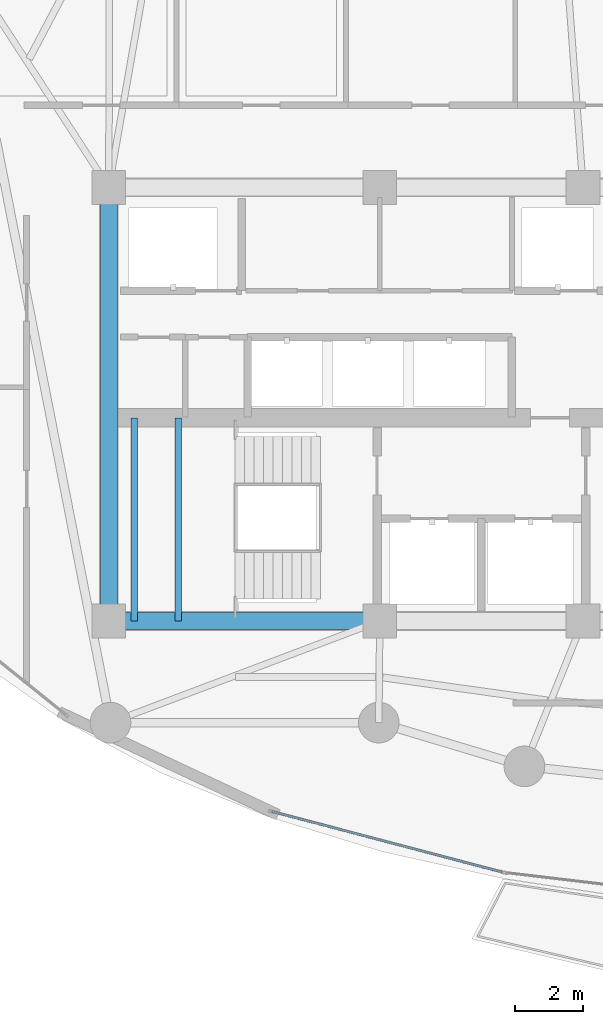
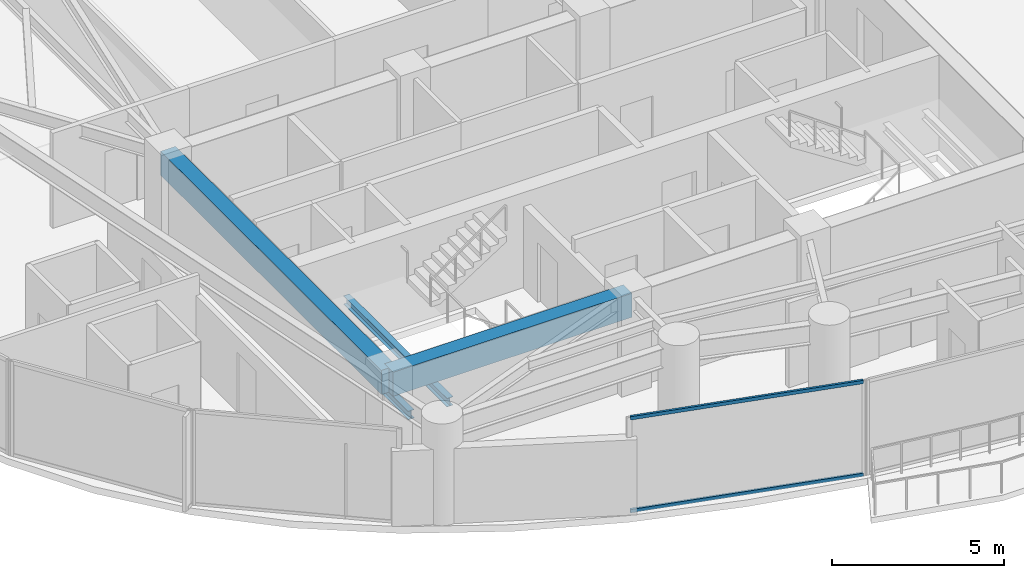
# One storey, part 4 of 33: 4 beams, 2 members, 1 element without a shape of its own.
"""IFC4 building model written with IfcOpenShell, lengths in metres."""

from ifc_helpers import new_model, si_unit, direction, frame, origin, origin_2d, place, context, subcontext, project, spatial, rectangle, hollow_rectangle, i_section, extrude, material, layer, layer_set, material_profile, profile_set, type_object, element, aggregate, save


model = new_model("IFC4")

# Units and contexts
model_context = context("Model", 3, precision=1e-05, world=origin(), true_north=direction((0.0, 1.0)))
body_context = subcontext(model_context, "Body", "Model", "MODEL_VIEW")
ifc_project = project(units=[si_unit("LENGTHUNIT", "METRE"), si_unit("AREAUNIT", "SQUARE_METRE"), si_unit("VOLUMEUNIT", "CUBIC_METRE"), si_unit("PLANEANGLEUNIT", "RADIAN"), si_unit("MASSUNIT", "GRAM", prefix="KILO")], contexts=[model_context])

# Site, building, storey
site_placement = place(None, origin())
site = spatial("IfcSite", under=ifc_project, at=site_placement, CompositionType="ELEMENT")
building_placement = place(site_placement, origin())
building = spatial("IfcBuilding", under=site, at=building_placement, Name="Kazevale Care Tower and Concert Hall", CompositionType="ELEMENT")
storey_placement = place(building_placement, frame((0.0, 0.0, 149.39990234375)))
storey = spatial("IfcBuildingStorey", under=building, at=storey_placement, Name="L39", CompositionType="ELEMENT", Elevation=149.39990234375)

# Curtain wall, members
ifc_material_1 = material(Name="Aluminium 6063-T6 and Low-E Glass", Category="aluminium")
ifc_layer = layer(ifc_material_1, 0.179931640625)
ifc_layer_set = layer_set([ifc_layer], Name="Aluminium 6063-T6 and Low-E Glass")
curtain_wall_type = type_object("IfcCurtainWallType", Name="Sheltered Concave Balcony Curtain Wall CW-5", PredefinedType="NOTDEFINED", material=ifc_layer_set)
curtain_wall_placement = place(storey_placement, origin())
curtain_wall = element("IfcCurtainWall", 1, at=curtain_wall_placement, inside=storey, type_object=curtain_wall_type, Name="cw:L39:f08", PredefinedType="NOTDEFINED")
ifc_material_2 = material(Name="Aluminium 6063-T6", Category="aluminium")
ifc_material_profile_1 = material_profile(ifc_material_2, hollow_rectangle(XDim=0.074951171875, YDim=0.1201171875, WallThickness=0.00390625, at=origin_2d()), Name="ALU75x120x4")
ifc_profile_set_1 = profile_set([ifc_material_profile_1], Name="Aluminium 6063-T6")
member_type = type_object("IfcMemberType", Name="CW-5 Transom ALU75x120x4", PredefinedType="USERDEFINED", material=ifc_profile_set_1)
member_1_placement = place(storey_placement, frame((33.598388671875, 16.193115234375, 0.03759765625), z_axis=(-0.967142752699, 0.254233939321, 0.0), x_axis=(-0.254233939321, -0.967142752699, 0.0)))
member_1 = element("IfcMember", 2, at=member_1_placement, type_object=member_type, Name="CW-5 transom 1.1", ObjectType="TRANSOM", PredefinedType="USERDEFINED", context=body_context, shape_type="SweptSolid", body=[
    extrude(hollow_rectangle(XDim=0.074951171875, YDim=0.1201171875, WallThickness=0.00390625, at=origin_2d()), origin(), (0.0, 0.0, 1.0), 6.996826171875),
])
member_2_placement = place(storey_placement, frame((33.598388671875, 16.193115234375, 3.322509765625), z_axis=(-0.967142752699, 0.254233939321, 0.0), x_axis=(-0.254233939321, -0.967142752699, 0.0)))
member_2 = element("IfcMember", 3, at=member_2_placement, type_object=member_type, Name="CW-5 transom 1.2", ObjectType="TRANSOM", PredefinedType="USERDEFINED", context=body_context, shape_type="SweptSolid", body=[
    extrude(hollow_rectangle(XDim=0.074951171875, YDim=0.1201171875, WallThickness=0.00390625, at=origin_2d()), origin(), (0.0, 0.0, 1.0), 6.996826171875),
])
aggregate(curtain_wall, [member_1, member_2])

# Beams
ifc_material_3 = material(Name="Concrete C60", Category="concrete")
ifc_material_profile_2 = material_profile(ifc_material_3, rectangle(XDim=0.5, YDim=0.85009765625, at=origin_2d()), Name="RC-B500x850")
ifc_profile_set_2 = profile_set([ifc_material_profile_2], Name="Concrete C60")
beam_type_1 = type_object("IfcBeamType", Name="Core Coupling Beam RC500x850", PredefinedType="LINTEL", material=ifc_profile_set_2)
beam_1_placement = place(storey_placement, frame((22.0, 23.60009765625, 2.93505859375), z_axis=(1.0, 0.0, 0.0), x_axis=(0.0, 1.0, 0.0)))
element("IfcBeam", 4, at=beam_1_placement, inside=storey, type_object=beam_type_1, Name="beam:L39:coretie:1", PredefinedType="LINTEL", context=body_context, shape_type="SweptSolid", body=[
    extrude(rectangle(XDim=0.5, YDim=0.85009765625, at=origin_2d()), origin(), (0.0, 0.0, 1.0), 8.0),
])
beam_2_placement = place(storey_placement, frame((22.0, 36.39990234375, 2.93505859375), z_axis=(0.0, -1.0, 0.0), x_axis=(1.0, 0.0, 0.0)))
element("IfcBeam", 5, at=beam_2_placement, inside=storey, type_object=beam_type_1, Name="beam:L39:coretie:8", PredefinedType="LINTEL", context=body_context, shape_type="SweptSolid", body=[
    extrude(rectangle(XDim=0.5, YDim=0.85009765625, at=origin_2d()), origin(), (0.0, 0.0, 1.0), 12.7998046875),
])
ifc_material_4 = material(Name="Steel ASTM A572 Gr 50", Category="steel")
ifc_material_profile_3 = material_profile(ifc_material_4, i_section(OverallWidth=0.202880859375, OverallDepth=0.302978515625, WebThickness=0.007568359375, FlangeThickness=0.01318359375, at=origin_2d()), Name="W310x60")
ifc_profile_set_3 = profile_set([ifc_material_profile_3], Name="Steel ASTM A572 Gr 50")
beam_type_2 = type_object("IfcBeamType", Name="Stair & Balcony Trimmer W310x60", PredefinedType="BEAM", material=ifc_profile_set_3)
for number, where, z_axis, x_axis, name in (
    (6, (22.75, 23.60009765625, 1.448486328125), (0.0, 1.0, 0.0), (-1.0, 0.0, 0.0), "beam:L39:sttrim:ST1"),
    (7, (24.050048828125, 23.60009765625, 1.448486328125), (0.0, 1.0, 0.0), (-1.0, 0.0, 0.0), "beam:L39:sttrim:ST1b"),
):
    element("IfcBeam", number, at=place(storey_placement, frame(where, z_axis=z_axis, x_axis=x_axis)), inside=storey, type_object=beam_type_2, Name=name, PredefinedType="BEAM", context=body_context, shape_type="SweptSolid", body=[
        extrude(i_section(OverallWidth=0.202880859375, OverallDepth=0.302978515625, WebThickness=0.007568359375, FlangeThickness=0.01318359375, at=origin_2d()), origin(), (0.0, 0.0, 1.0), 6.0),
    ])

save(model, "model.ifc")
